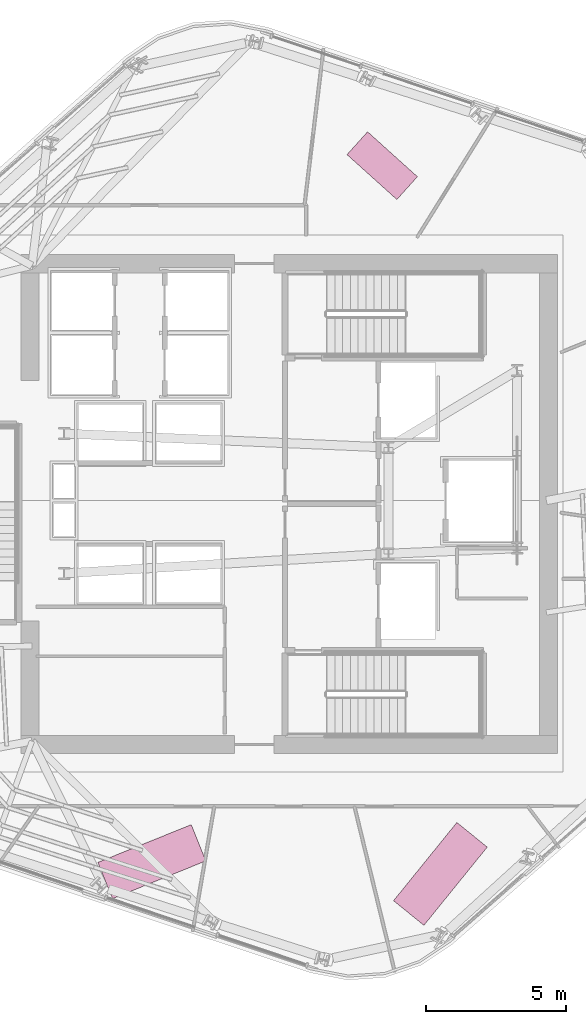
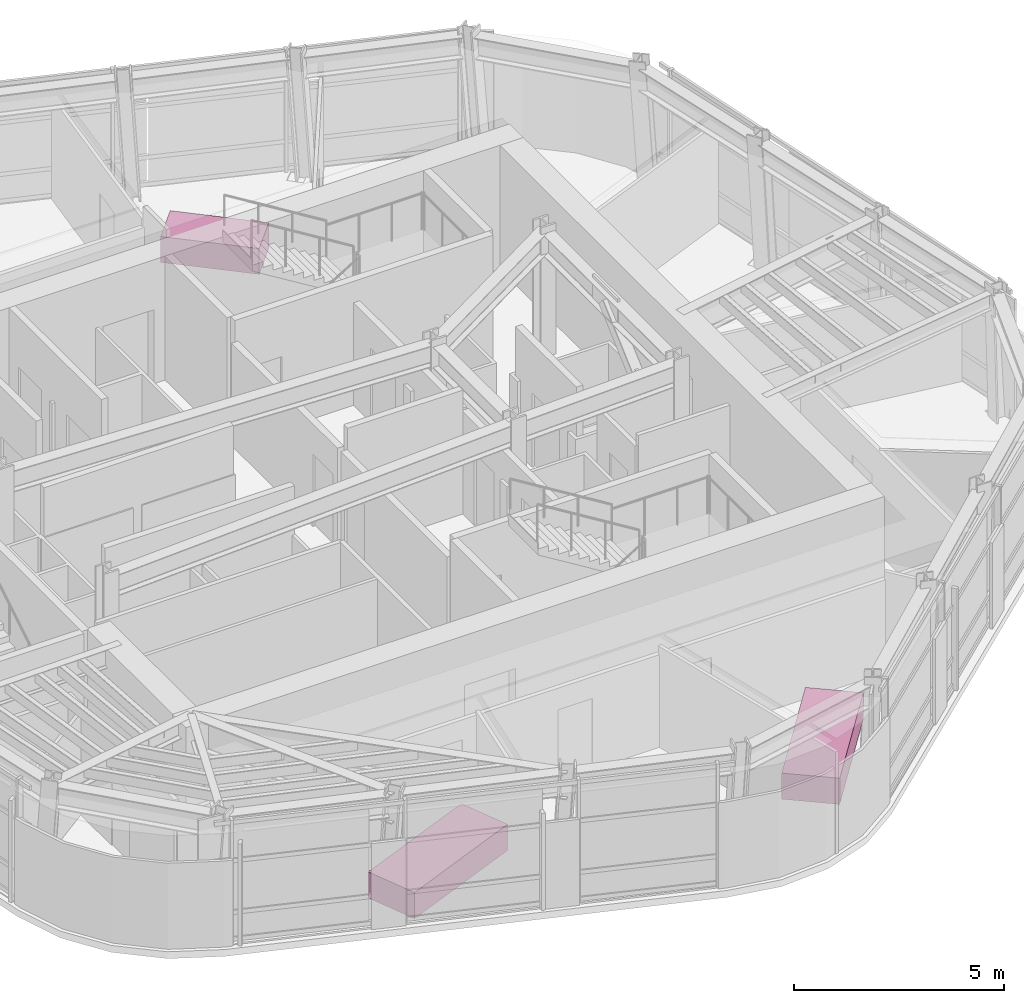
# One storey, part 15 of 15: 3 furniture elements.
"""IFC4 building model written with IfcOpenShell, lengths in metres."""

from ifc_helpers import new_model, si_unit, direction, frame, origin, origin_2d, place, context, subcontext, project, spatial, rectangle, extrude, material, type_object, element, save


model = new_model("IFC4")

# Units and contexts
model_context = context("Model", 3, precision=1e-05, world=origin(), true_north=direction((0.0, 1.0)))
body_context = subcontext(model_context, "Body", "Model", "MODEL_VIEW")
ifc_project = project(units=[si_unit("LENGTHUNIT", "METRE"), si_unit("AREAUNIT", "SQUARE_METRE"), si_unit("VOLUMEUNIT", "CUBIC_METRE"), si_unit("PLANEANGLEUNIT", "RADIAN"), si_unit("MASSUNIT", "GRAM", prefix="KILO")], contexts=[model_context])

# Site, building, storey
site_placement = place(None, origin())
site = spatial("IfcSite", under=ifc_project, at=site_placement, CompositionType="ELEMENT")
building_placement = place(site_placement, origin())
building = spatial("IfcBuilding", under=site, at=building_placement, Name="Valkerne Bourse Tower", CompositionType="ELEMENT")
storey_placement = place(building_placement, frame((0.0, 0.0, 201.800048828125)))
storey = spatial("IfcBuildingStorey", under=building, at=storey_placement, Name="L51", CompositionType="ELEMENT", Elevation=201.800048828125)

# Furniture
ifc_material = material(Name="Architectural White Oak Timber", Category="wood")
furniture_type_1 = type_object("IfcFurnitureType", Name="FURN-CONF-3600", AssemblyPlace="NOTDEFINED", PredefinedType="TABLE", material=ifc_material)
for number, where, z_axis, x_axis, name in (
    (1, (41.888916015625, 14.087890625, 0.044921875), (0.0, 0.0, 1.0), (0.927183854567, 0.374606593416, 0.0), "L51 Suite Worktable 05"),
    (2, (52.2080078125, 13.64990234375, 0.044921875), (0.0, 0.0, 1.0), (0.62932039105, 0.777145961457, 0.0), "L51 Suite Worktable 06"),
):
    element("IfcFurniture", number, at=place(storey_placement, frame(where, z_axis=z_axis, x_axis=x_axis)), inside=storey, type_object=furniture_type_1, Name=name, PredefinedType="TABLE", context=body_context, shape_type="SweptSolid", body=[
        extrude(rectangle(XDim=3.60009765625, YDim=1.39990234375, at=origin_2d()), origin(), (0.0, 0.0, 1.0), 0.760009765625),
    ])
furniture_type_2 = type_object("IfcFurnitureType", Name="FURN-DESK-2400", AssemblyPlace="NOTDEFINED", PredefinedType="DESK", material=ifc_material)
furniture_placement = place(storey_placement, frame((50.126953125, 38.98095703125, 0.044921875), z_axis=(0.0, 0.0, 1.0), x_axis=(-0.743144825477, 0.669130606359, 0.0)))
element("IfcFurniture", 3, at=furniture_placement, inside=storey, type_object=furniture_type_2, Name="L51 Suite Worktable 09", PredefinedType="DESK", context=body_context, shape_type="SweptSolid", body=[
    extrude(rectangle(XDim=2.39990234375, YDim=1.10009765625, at=origin_2d()), origin(), (0.0, 0.0, 1.0), 0.75),
])

save(model, "model.ifc")
